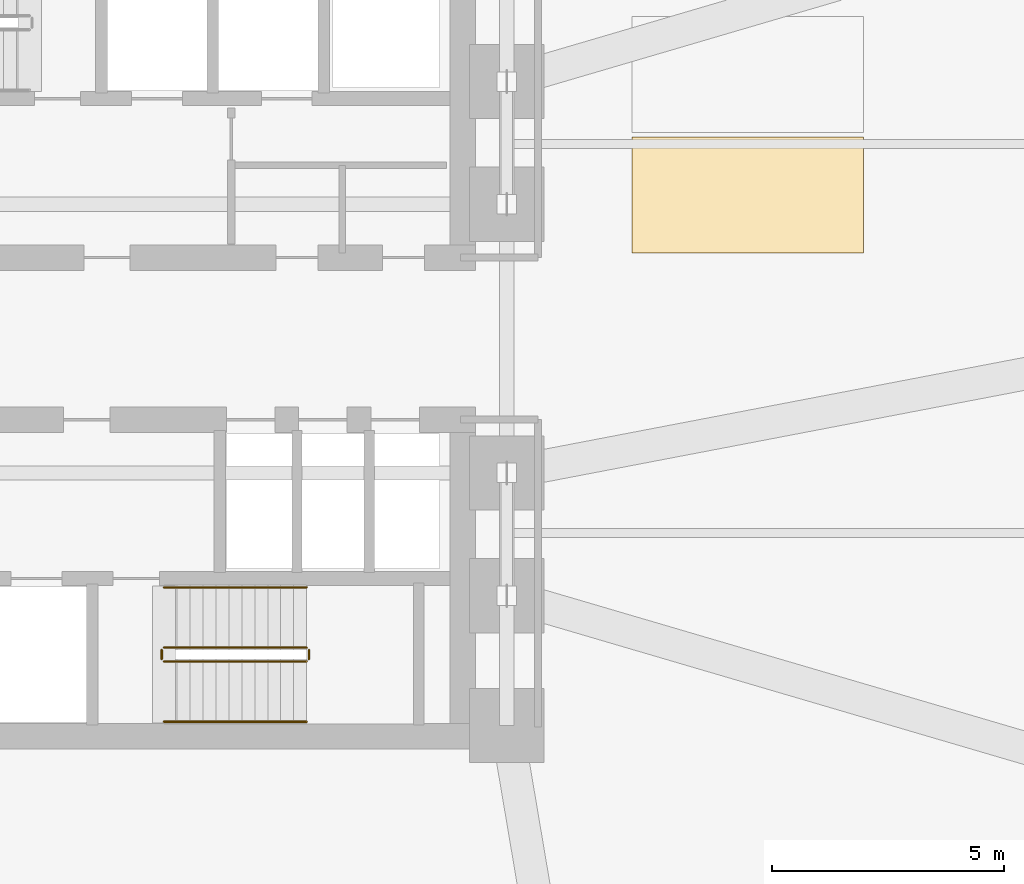
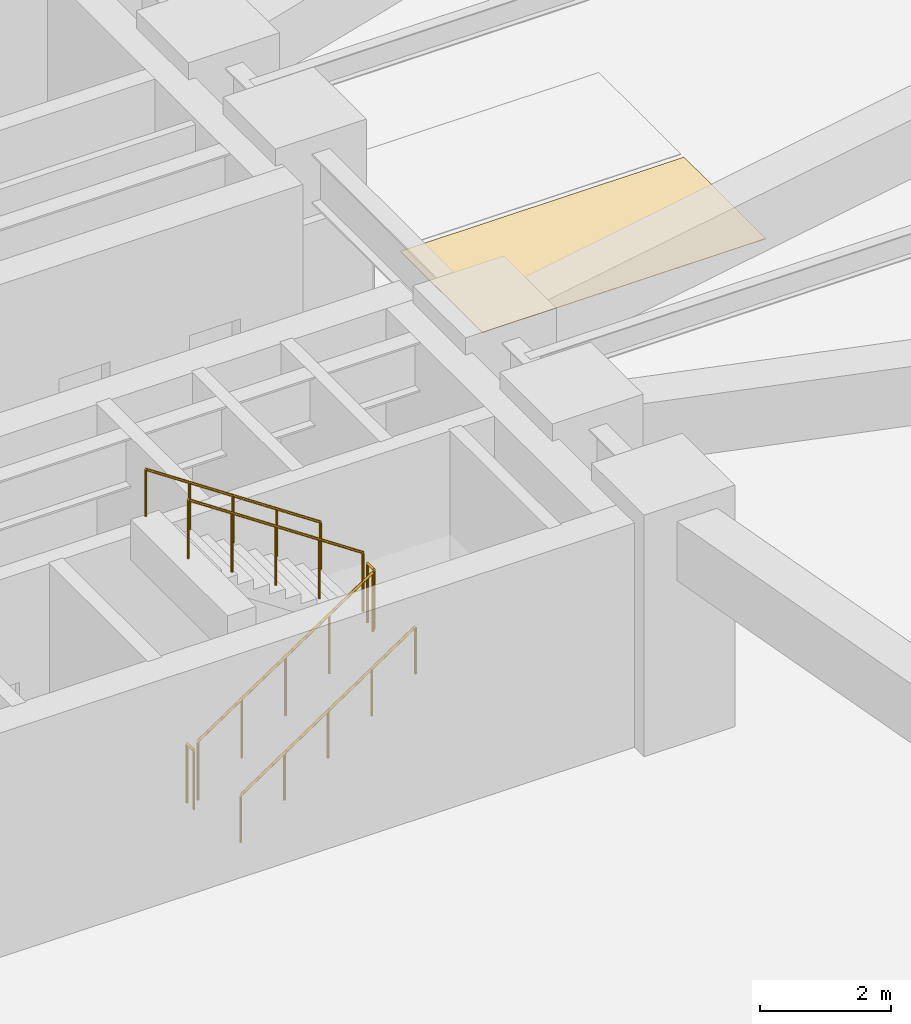
# One storey, part 10 of 13: 6 railings, 1 covering.
"""IFC4 building model written with IfcOpenShell, lengths in metres."""

from ifc_helpers import new_model, si_unit, direction, frame, origin, origin_2d, place, context, subcontext, project, spatial, polyline, circle, outline, extrude, material, layer, layer_set, type_object, element, save


model = new_model("IFC4")

# Units and contexts
model_context = context("Model", 3, precision=1e-05, world=origin(), true_north=direction((0.0, 1.0)))
body_context = subcontext(model_context, "Body", "Model", "MODEL_VIEW")
ifc_project = project(units=[si_unit("LENGTHUNIT", "METRE"), si_unit("AREAUNIT", "SQUARE_METRE"), si_unit("VOLUMEUNIT", "CUBIC_METRE"), si_unit("PLANEANGLEUNIT", "RADIAN"), si_unit("MASSUNIT", "GRAM", prefix="KILO")], contexts=[model_context])

# Site, building, storey
site_placement = place(None, origin())
site = spatial("IfcSite", under=ifc_project, at=site_placement, CompositionType="ELEMENT")
building_placement = place(site_placement, origin())
building = spatial("IfcBuilding", under=site, at=building_placement, Name="Solmarez Civic Tower", CompositionType="ELEMENT")
storey_placement = place(building_placement, frame((0.0, 0.0, -4.5)))
storey = spatial("IfcBuildingStorey", under=building, at=storey_placement, Name="B1", CompositionType="ELEMENT", Elevation=-4.5)

# Covering
ifc_material_1 = material(Name="Epoxy Traffic Deck Coating")
ifc_layer = layer(ifc_material_1, 0.010009765625)
ifc_layer_set = layer_set([ifc_layer], Name="Epoxy Traffic Deck Coating")
covering_type = type_object("IfcCoveringType", Name="COV-PARK-BAY", PredefinedType="FLOORING", material=ifc_layer_set)
covering_placement = place(storey_placement, origin())
element("IfcCovering", 1, at=covering_placement, inside=storey, type_object=covering_type, Name="B1 Parking Bay Marking 095", PredefinedType="FLOORING", context=body_context, shape_type="SweptSolid", body=[
    extrude(outline(polyline([(11.550048828125, 1.85009765625), (16.550048828125, 1.85009765625), (16.550048828125, 4.35009765625), (11.550048828125, 4.35009765625), (11.550048828125, 1.85009765625)])), origin(), (0.0, 0.0, 1.0), 0.010009765625),
])

# Railings
ifc_material_2 = material(Name="Painted Steel Stairwell Safety Guard", Category="steel")
railing_type_1 = type_object("IfcRailingType", Name="GUARD-STAIR-1120", PredefinedType="BALUSTRADE", material=ifc_material_2)
railing_1_placement = place(storey_placement, frame((1.449951171875, -6.969970703125, 0.1875)))
element("IfcRailing", 2, at=railing_1_placement, inside=storey, type_object=railing_type_1, Name="B1 ST-2 stair guard 1", PredefinedType="BALUSTRADE", context=body_context, shape_type="SweptSolid", body=[
    extrude(circle(Radius=0.02392578125, at=origin_2d()), frame((0.0, 0.0, 1.09619140625), z_axis=(0.830913701846, 0.0, 0.55640131208), x_axis=(0.0, 1.0, 0.0)), (0.0, 0.0, 1.0), 3.706787109375),
    extrude(circle(Radius=0.02099609375, at=origin_2d()), origin(), (0.0, 0.0, 1.0), 1.072021484375),
    extrude(circle(Radius=0.02099609375, at=origin_2d()), frame((0.77001953125, 0.0, 0.515625)), (0.0, 0.0, 1.0), 1.072021484375),
    extrude(circle(Radius=0.02099609375, at=origin_2d()), frame((1.5400390625, 0.0, 1.03125)), (0.0, 0.0, 1.0), 1.072021484375),
    extrude(circle(Radius=0.02099609375, at=origin_2d()), frame((2.31005859375, 0.0, 1.546875)), (0.0, 0.0, 1.0), 1.072021484375),
    extrude(circle(Radius=0.02099609375, at=origin_2d()), frame((3.080078125, 0.0, 2.0625)), (0.0, 0.0, 1.0), 1.072021484375),
])
railing_2_placement = place(storey_placement, frame((4.580078125, -6.919921875, 2.25)))
element("IfcRailing", 3, at=railing_2_placement, inside=storey, type_object=railing_type_1, Name="B1 ST-2 stair guard 2", PredefinedType="BALUSTRADE", context=body_context, shape_type="SweptSolid", body=[
    extrude(circle(Radius=0.02392578125, at=origin_2d()), frame((0.0, 0.0, 1.09619140625), z_axis=(0.0, 1.0, 0.0), x_axis=(-1.0, 0.0, 0.0)), (0.0, 0.0, 1.0), 0.199951171875),
    extrude(circle(Radius=0.02099609375, at=origin_2d()), origin(), (0.0, 0.0, 1.0), 1.072021484375),
    extrude(circle(Radius=0.02099609375, at=origin_2d()), frame((0.0, 0.199951171875, 0.0)), (0.0, 0.0, 1.0), 1.072021484375),
])
railing_3_placement = place(storey_placement, frame((4.530029296875, -6.669921875, 2.4375)))
element("IfcRailing", 4, at=railing_3_placement, inside=storey, type_object=railing_type_1, Name="B1 ST-2 stair guard 3", PredefinedType="BALUSTRADE", context=body_context, shape_type="SweptSolid", body=[
    extrude(circle(Radius=0.02392578125, at=origin_2d()), frame((0.0, 0.0, 1.09619140625), z_axis=(-0.830913701846, 0.0, 0.55640131208), x_axis=(0.0, -1.0, 0.0)), (0.0, 0.0, 1.0), 3.706787109375),
    extrude(circle(Radius=0.02099609375, at=origin_2d()), origin(), (0.0, 0.0, 1.0), 1.072021484375),
    extrude(circle(Radius=0.02099609375, at=origin_2d()), frame((-0.77001953125, 0.0, 0.515625)), (0.0, 0.0, 1.0), 1.072021484375),
    extrude(circle(Radius=0.02099609375, at=origin_2d()), frame((-1.5400390625, 0.0, 1.03125)), (0.0, 0.0, 1.0), 1.072021484375),
    extrude(circle(Radius=0.02099609375, at=origin_2d()), frame((-2.31005859375, 0.0, 1.546875)), (0.0, 0.0, 1.0), 1.072021484375),
    extrude(circle(Radius=0.02099609375, at=origin_2d()), frame((-3.080078125, 0.0, 2.0625)), (0.0, 0.0, 1.0), 1.072021484375),
])
railing_4_placement = place(storey_placement, frame((1.39990234375, -6.919921875, 0.0)))
element("IfcRailing", 5, at=railing_4_placement, inside=storey, type_object=railing_type_1, Name="B1 ST-2 stair guard 4", PredefinedType="BALUSTRADE", context=body_context, shape_type="SweptSolid", body=[
    extrude(circle(Radius=0.02392578125, at=origin_2d()), frame((0.0, 0.0, 1.09619140625), z_axis=(0.0, 1.0, 0.0), x_axis=(-1.0, 0.0, 0.0)), (0.0, 0.0, 1.0), 0.199951171875),
    extrude(circle(Radius=0.02099609375, at=origin_2d()), origin(), (0.0, 0.0, 1.0), 1.072021484375),
    extrude(circle(Radius=0.02099609375, at=origin_2d()), frame((0.0, 0.199951171875, 0.0)), (0.0, 0.0, 1.0), 1.072021484375),
])
ifc_material_3 = material(Name="Brushed Stainless Steel Tube Handrail", Category="steel")
railing_type_2 = type_object("IfcRailingType", Name="HANDRAIL-STAIR-900", PredefinedType="HANDRAIL", material=ifc_material_3)
railing_5_placement = place(storey_placement, frame((1.449951171875, -8.27001953125, 0.1875)))
element("IfcRailing", 6, at=railing_5_placement, inside=storey, type_object=railing_type_2, Name="B1 ST-2 stair handrail 1", PredefinedType="HANDRAIL", context=body_context, shape_type="SweptSolid", body=[
    extrude(circle(Radius=0.02392578125, at=origin_2d()), frame((0.0, 0.0, 0.8759765625), z_axis=(0.830913701846, 0.0, 0.55640131208), x_axis=(0.0, 1.0, 0.0)), (0.0, 0.0, 1.0), 3.706787109375),
    extrude(circle(Radius=0.02099609375, at=origin_2d()), origin(), (0.0, 0.0, 1.0), 0.851806640625),
    extrude(circle(Radius=0.02099609375, at=origin_2d()), frame((0.77001953125, 0.0, 0.515625)), (0.0, 0.0, 1.0), 0.851806640625),
    extrude(circle(Radius=0.02099609375, at=origin_2d()), frame((1.5400390625, 0.0, 1.03125)), (0.0, 0.0, 1.0), 0.851806640625),
    extrude(circle(Radius=0.02099609375, at=origin_2d()), frame((2.31005859375, 0.0, 1.546875)), (0.0, 0.0, 1.0), 0.851806640625),
    extrude(circle(Radius=0.02099609375, at=origin_2d()), frame((3.080078125, 0.0, 2.0625)), (0.0, 0.0, 1.0), 0.851806640625),
])
railing_6_placement = place(storey_placement, frame((4.530029296875, -5.3701171875, 2.4375)))
element("IfcRailing", 7, at=railing_6_placement, inside=storey, type_object=railing_type_2, Name="B1 ST-2 stair handrail 2", PredefinedType="HANDRAIL", context=body_context, shape_type="SweptSolid", body=[
    extrude(circle(Radius=0.02392578125, at=origin_2d()), frame((0.0, 0.0, 0.8759765625), z_axis=(-0.830913701846, 0.0, 0.55640131208), x_axis=(0.0, -1.0, 0.0)), (0.0, 0.0, 1.0), 3.706787109375),
    extrude(circle(Radius=0.02099609375, at=origin_2d()), origin(), (0.0, 0.0, 1.0), 0.851806640625),
    extrude(circle(Radius=0.02099609375, at=origin_2d()), frame((-0.77001953125, 0.0, 0.515625)), (0.0, 0.0, 1.0), 0.851806640625),
    extrude(circle(Radius=0.02099609375, at=origin_2d()), frame((-1.5400390625, 0.0, 1.03125)), (0.0, 0.0, 1.0), 0.851806640625),
    extrude(circle(Radius=0.02099609375, at=origin_2d()), frame((-2.31005859375, 0.0, 1.546875)), (0.0, 0.0, 1.0), 0.851806640625),
    extrude(circle(Radius=0.02099609375, at=origin_2d()), frame((-3.080078125, 0.0, 2.0625)), (0.0, 0.0, 1.0), 0.851806640625),
])

save(model, "model.ifc")
